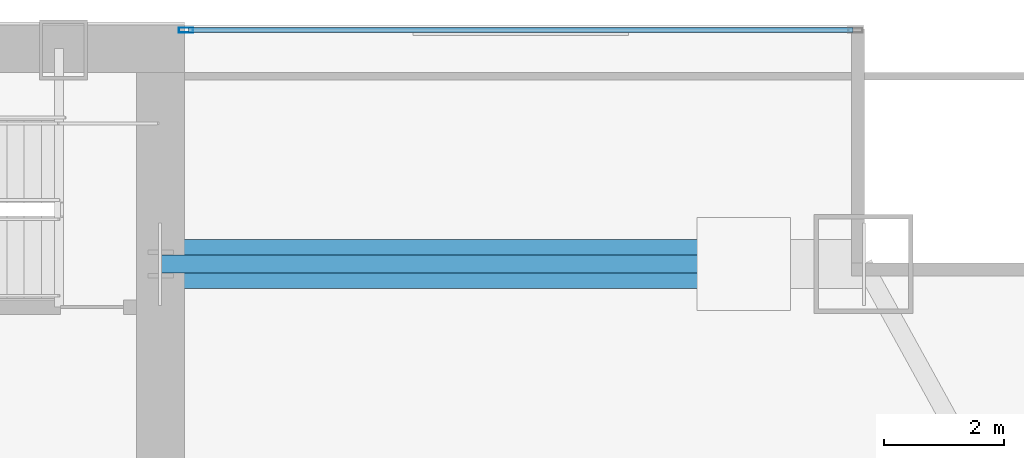
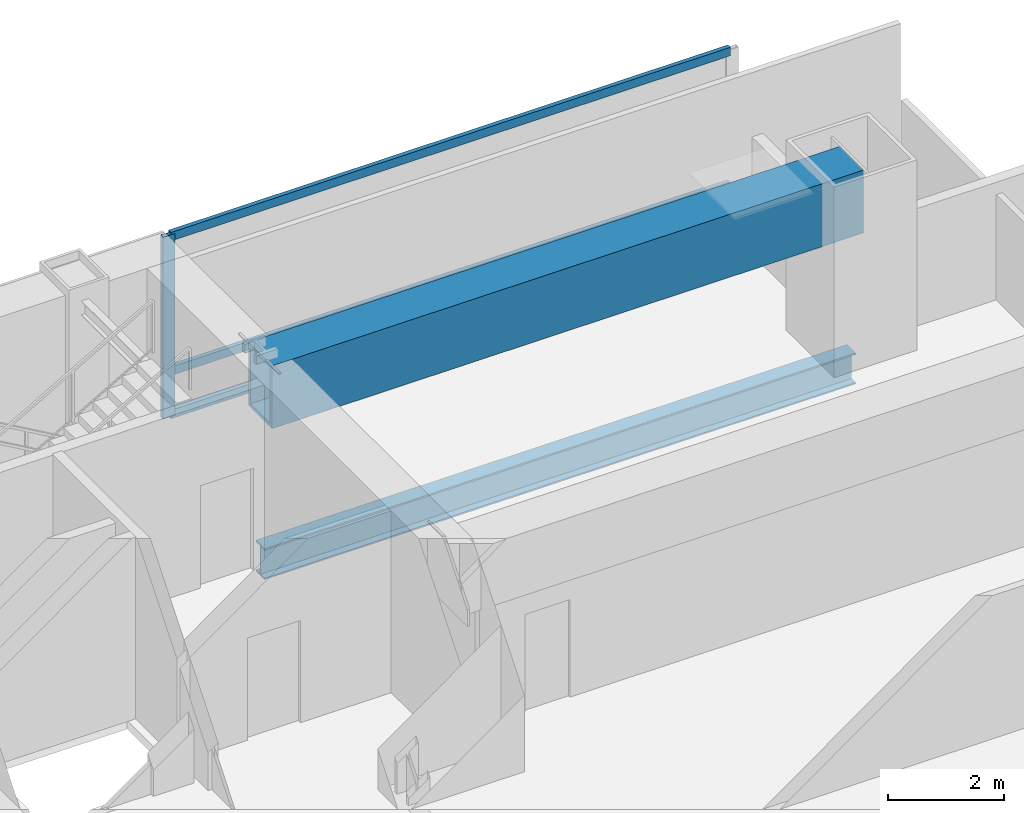
# One storey, part 17 of 32: 4 members, 2 beams, 1 element without a shape of its own.
"""IFC4 building model written with IfcOpenShell, lengths in metres."""

from ifc_helpers import new_model, si_unit, direction, frame, origin, origin_2d, place, context, subcontext, project, spatial, hollow_rectangle, i_section, extrude, material, material_profile, profile_set, type_object, element, aggregate, save


model = new_model("IFC4")

# Units and contexts
model_context = context("Model", 3, precision=1e-05, world=origin(), true_north=direction((0.0, 1.0)))
body_context = subcontext(model_context, "Body", "Model", "MODEL_VIEW")
ifc_project = project(units=[si_unit("LENGTHUNIT", "METRE"), si_unit("AREAUNIT", "SQUARE_METRE"), si_unit("VOLUMEUNIT", "CUBIC_METRE"), si_unit("PLANEANGLEUNIT", "RADIAN"), si_unit("MASSUNIT", "GRAM", prefix="KILO")], contexts=[model_context])

# Site, building, storey
site_placement = place(None, origin())
site = spatial("IfcSite", under=ifc_project, at=site_placement, CompositionType="ELEMENT")
building_placement = place(site_placement, origin())
building = spatial("IfcBuilding", under=site, at=building_placement, Name="Khoronbel Lancet Exchange", CompositionType="ELEMENT")
storey_placement = place(building_placement, frame((0.0, 0.0, 77.800048828125)))
storey = spatial("IfcBuildingStorey", under=building, at=storey_placement, Name="L18", CompositionType="ELEMENT", Elevation=77.800048828125)

# Beams
ifc_material_1 = material(Name="Steel S355", Category="steel")
ifc_material_profile_1 = material_profile(ifc_material_1, i_section(OverallWidth=0.300048828125, OverallDepth=0.64990234375, WebThickness=0.01611328125, FlangeThickness=0.031005859375, at=origin_2d()), Name="HEB 650")
ifc_profile_set_1 = profile_set([ifc_material_profile_1], Name="Steel S355")
beam_type_1 = type_object("IfcBeamType", Name="BM-BSP1", PredefinedType="SPANDREL", material=ifc_profile_set_1)
beam_1_placement = place(storey_placement, frame((68.050048828125, 49.699951171875, -0.505126953125), z_axis=(-1.0, 0.0, 0.0), x_axis=(0.0, -1.0, 0.0)))
element("IfcBeam", 1, at=beam_1_placement, inside=storey, type_object=beam_type_1, Name="Level L18 north flank tie spandrel SP23", PredefinedType="SPANDREL", context=body_context, shape_type="SweptSolid", body=[
    extrude(i_section(OverallWidth=0.300048828125, OverallDepth=0.64990234375, WebThickness=0.01611328125, FlangeThickness=0.031005859375, at=origin_2d()), origin(), (0.0, 0.0, 1.0), 11.75),
])
ifc_material_2 = material(Name="Steel S460", Category="steel")
ifc_material_profile_2 = material_profile(ifc_material_2, hollow_rectangle(XDim=0.820068359375, YDim=1.320068359375, WallThickness=0.070068359375, at=origin_2d()), Name="BOX 820x1320x70")
ifc_profile_set_2 = profile_set([ifc_material_profile_2], Name="Steel S460")
beam_type_2 = type_object("IfcBeamType", Name="BM-TG4", PredefinedType="USERDEFINED", material=ifc_profile_set_2)
beam_2_placement = place(storey_placement, frame((56.300048828125, 49.699951171875, 3.159912109375), z_axis=(1.0, 0.0, 0.0), x_axis=(0.0, 1.0, 0.0)))
element("IfcBeam", 2, at=beam_2_placement, inside=storey, type_object=beam_type_2, Name="Corner mega-column setback transfer girder L18-NE", ObjectType="TRANSFER GIRDER", PredefinedType="USERDEFINED", context=body_context, shape_type="SweptSolid", body=[
    extrude(hollow_rectangle(XDim=0.820068359375, YDim=1.320068359375, WallThickness=0.070068359375, at=origin_2d()), origin(), (0.0, 0.0, 1.0), 11.75),
])

# Curtain wall, members
ifc_material_3 = material(Name="Low-E Solar Control Insulating Glass", Category="glass")
curtain_wall_type = type_object("IfcCurtainWallType", Name="CW-1", PredefinedType="NOTDEFINED", material=ifc_material_3)
curtain_wall_placement = place(storey_placement, origin())
curtain_wall = element("IfcCurtainWall", 3, at=curtain_wall_placement, inside=storey, type_object=curtain_wall_type, Name="Unitised curtain wall CW-L18-NEFLK", PredefinedType="NOTDEFINED")
ifc_material_4 = material(Name="Bronze-Anodised Aluminium 6063-T6", Category="aluminium")
ifc_material_profile_3 = material_profile(ifc_material_4, hollow_rectangle(XDim=0.0849609375, YDim=0.239990234375, WallThickness=0.006103515625, at=origin_2d()), Name="ALU MULLION 85x240")
ifc_profile_set_3 = profile_set([ifc_material_profile_3], Name="Bronze-Anodised Aluminium 6063-T6")
member_type_1 = type_object("IfcMemberType", Name="MEM-CWM1", PredefinedType="MULLION", material=ifc_profile_set_3)
member_1_placement = place(storey_placement, frame((56.722412109375, 53.610107421875, 0.0), z_axis=(0.0, 0.0, 1.0), x_axis=(0.0, -1.0, 0.0)))
member_1 = element("IfcMember", 4, at=member_1_placement, type_object=member_type_1, Name="CW1 mullion 2", PredefinedType="MULLION", context=body_context, shape_type="SweptSolid", body=[
    extrude(hollow_rectangle(XDim=0.0849609375, YDim=0.239990234375, WallThickness=0.006103515625, at=origin_2d()), origin(), (0.0, 0.0, 1.0), 3.820068359375),
])
ifc_material_profile_4 = material_profile(ifc_material_4, hollow_rectangle(XDim=0.0849609375, YDim=0.179931640625, WallThickness=0.0048828125, at=origin_2d()), Name="ALU TRANSOM 85x180")
ifc_profile_set_4 = profile_set([ifc_material_profile_4], Name="Bronze-Anodised Aluminium 6063-T6")
member_type_2 = type_object("IfcMemberType", Name="MEM-CWT1", PredefinedType="USERDEFINED", material=ifc_profile_set_4)
member_2_placement = place(storey_placement, frame((67.875, 53.610107421875, 0.04248046875), z_axis=(-1.0, 0.0, 0.0), x_axis=(0.0, -1.0, 0.0)))
member_2 = element("IfcMember", 5, at=member_2_placement, type_object=member_type_2, Name="CW1 transom 1.1", ObjectType="TRANSOM", PredefinedType="USERDEFINED", context=body_context, shape_type="SweptSolid", body=[
    extrude(hollow_rectangle(XDim=0.0849609375, YDim=0.179931640625, WallThickness=0.0048828125, at=origin_2d()), origin(), (0.0, 0.0, 1.0), 11.110107421875),
])
member_3_placement = place(storey_placement, frame((67.875, 53.610107421875, 0.949951171875), z_axis=(-1.0, 0.0, 0.0), x_axis=(0.0, -1.0, 0.0)))
member_3 = element("IfcMember", 6, at=member_3_placement, type_object=member_type_2, Name="CW1 transom 1.2", ObjectType="TRANSOM", PredefinedType="USERDEFINED", context=body_context, shape_type="SweptSolid", body=[
    extrude(hollow_rectangle(XDim=0.0849609375, YDim=0.179931640625, WallThickness=0.0048828125, at=origin_2d()), origin(), (0.0, 0.0, 1.0), 11.110107421875),
])
member_4_placement = place(storey_placement, frame((67.875, 53.610107421875, 3.77734375), z_axis=(-1.0, 0.0, 0.0), x_axis=(0.0, -1.0, 0.0)))
member_4 = element("IfcMember", 7, at=member_4_placement, type_object=member_type_2, Name="CW1 transom 1.3", ObjectType="TRANSOM", PredefinedType="USERDEFINED", context=body_context, shape_type="SweptSolid", body=[
    extrude(hollow_rectangle(XDim=0.0849609375, YDim=0.179931640625, WallThickness=0.0048828125, at=origin_2d()), origin(), (0.0, 0.0, 1.0), 11.110107421875),
])
aggregate(curtain_wall, [member_1, member_2, member_3, member_4])

save(model, "model.ifc")
